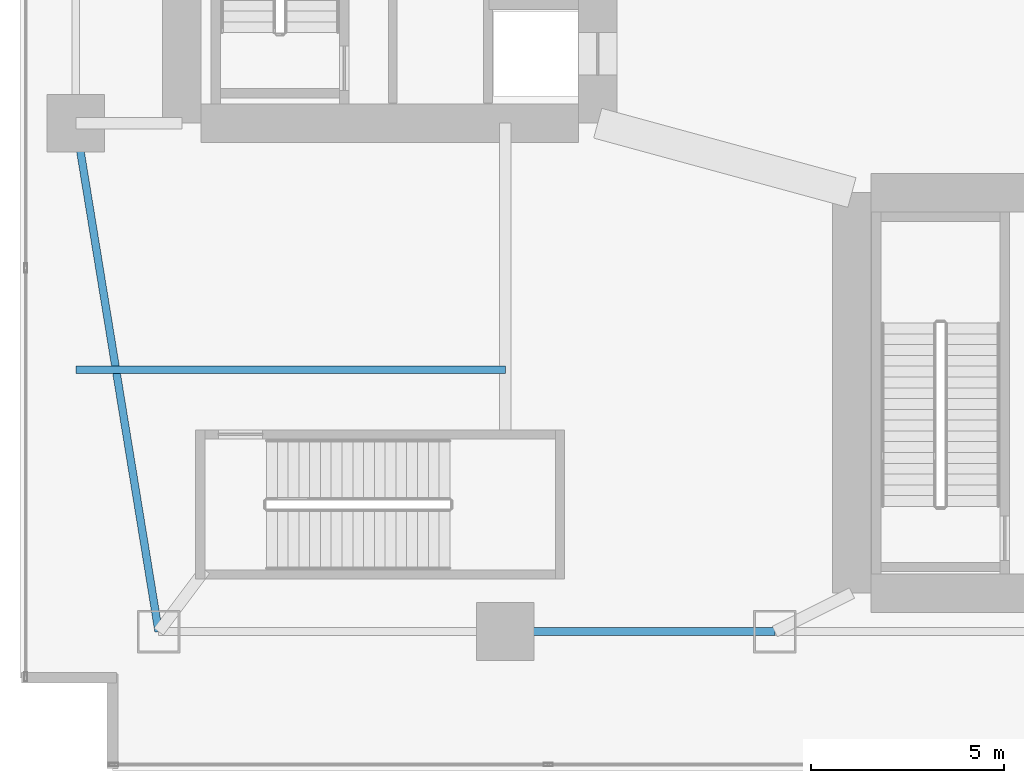
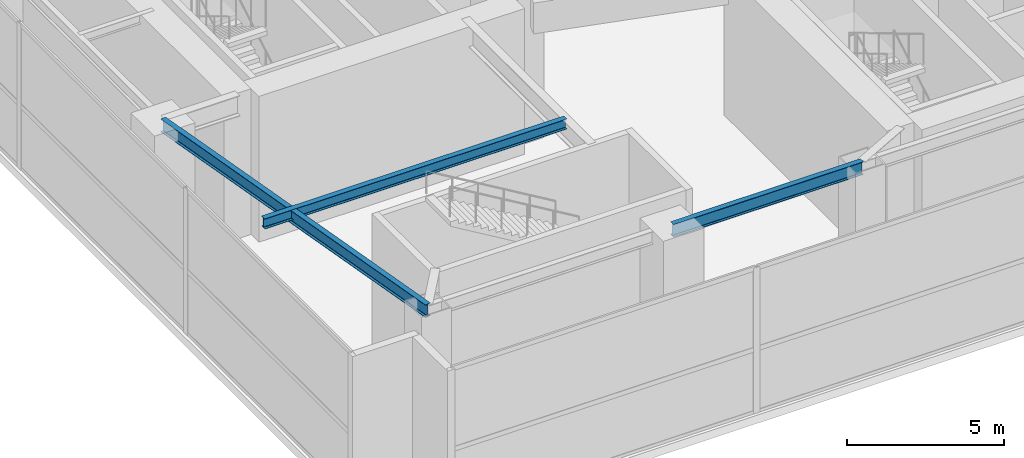
# One storey, part 5 of 35: 3 beams.
"""IFC4 building model written with IfcOpenShell, lengths in metres."""

from ifc_helpers import new_model, si_unit, direction, frame, origin, origin_2d, place, context, subcontext, project, spatial, i_section, extrude, material, material_profile, profile_set, type_object, element, save


model = new_model("IFC4")

# Units and contexts
model_context = context("Model", 3, precision=1e-05, world=origin(), true_north=direction((0.0, 1.0)))
body_context = subcontext(model_context, "Body", "Model", "MODEL_VIEW")
ifc_project = project(units=[si_unit("LENGTHUNIT", "METRE"), si_unit("AREAUNIT", "SQUARE_METRE"), si_unit("VOLUMEUNIT", "CUBIC_METRE"), si_unit("PLANEANGLEUNIT", "RADIAN"), si_unit("MASSUNIT", "GRAM", prefix="KILO")], contexts=[model_context])

# Site, building, storey
site_placement = place(None, origin())
site = spatial("IfcSite", under=ifc_project, at=site_placement, CompositionType="ELEMENT")
building_placement = place(site_placement, origin())
building = spatial("IfcBuilding", under=site, at=building_placement, Name="Calvorn Quay Hotel", CompositionType="ELEMENT")
storey_placement = place(building_placement, frame((0.0, 0.0, 6.0)))
storey = spatial("IfcBuildingStorey", under=building, at=storey_placement, Name="L01", CompositionType="ELEMENT", Elevation=6.0)

# Beams
ifc_material_1 = material(Name="Steel Q355B", Category="steel")
ifc_material_profile_1 = material_profile(ifc_material_1, i_section(OverallWidth=0.199951171875, OverallDepth=0.39990234375, WebThickness=0.008056640625, FlangeThickness=0.012939453125, FilletRadius=0.01611328125, at=origin_2d()), Name="HN400x200x8x13")
ifc_profile_set_1 = profile_set([ifc_material_profile_1], Name="Steel Q355B")
beam_type_1 = type_object("IfcBeamType", Name="BM-JOIST-TYP", PredefinedType="JOIST", material=ifc_profile_set_1)
beam_1_placement = place(storey_placement, frame((1.449951171875, 10.39990234375, 5.47998046875), z_axis=(1.0, 0.0, 0.0), x_axis=(0.0, 1.0, 0.0)))
element("IfcBeam", 1, at=beam_1_placement, inside=storey, type_object=beam_type_1, Name="Beam BJ-L01-W1", PredefinedType="JOIST", context=body_context, shape_type="SweptSolid", body=[
    extrude(i_section(OverallWidth=0.199951171875, OverallDepth=0.39990234375, WebThickness=0.008056640625, FlangeThickness=0.012939453125, FilletRadius=0.01611328125, at=origin_2d()), origin(), (0.0, 0.0, 1.0), 11.150146484375),
])
ifc_material_2 = material(Name="Steel Q355B", Category="steel")
ifc_material_profile_2 = material_profile(ifc_material_2, i_section(OverallWidth=0.199951171875, OverallDepth=0.5, WebThickness=0.010009765625, FlangeThickness=0.01611328125, FilletRadius=0.01611328125, at=origin_2d()), Name="HN500x200x10x16")
ifc_profile_set_2 = profile_set([ifc_material_profile_2], Name="Steel Q355B")
beam_type_2 = type_object("IfcBeamType", Name="BM-SPANDREL-Z1", PredefinedType="SPANDREL", material=ifc_profile_set_2)
beam_2_placement = place(storey_placement, frame((3.60009765625, 3.60009765625, 5.429931640625), z_axis=(-0.16077155054, 0.986991645627, 0.0), x_axis=(-0.986991645627, -0.16077155054, 0.0)))
element("IfcBeam", 2, at=beam_2_placement, inside=storey, type_object=beam_type_2, Name="Beam BSP-L01-W1", PredefinedType="SPANDREL", context=body_context, shape_type="SweptSolid", body=[
    extrude(i_section(OverallWidth=0.199951171875, OverallDepth=0.5, WebThickness=0.010009765625, FlangeThickness=0.01611328125, FilletRadius=0.01611328125, at=origin_2d()), origin(), (0.0, 0.0, 1.0), 13.3740234375),
])
beam_3_placement = place(storey_placement, frame((12.60009765625, 3.60009765625, 5.429931640625), z_axis=(1.0, 0.0, 0.0), x_axis=(0.0, 1.0, 0.0)))
element("IfcBeam", 3, at=beam_3_placement, inside=storey, type_object=beam_type_2, Name="Beam BSP-L01-S2", PredefinedType="SPANDREL", context=body_context, shape_type="SweptSolid", body=[
    extrude(i_section(OverallWidth=0.199951171875, OverallDepth=0.5, WebThickness=0.010009765625, FlangeThickness=0.01611328125, FilletRadius=0.01611328125, at=origin_2d()), origin(), (0.0, 0.0, 1.0), 7.0),
])

save(model, "model.ifc")
